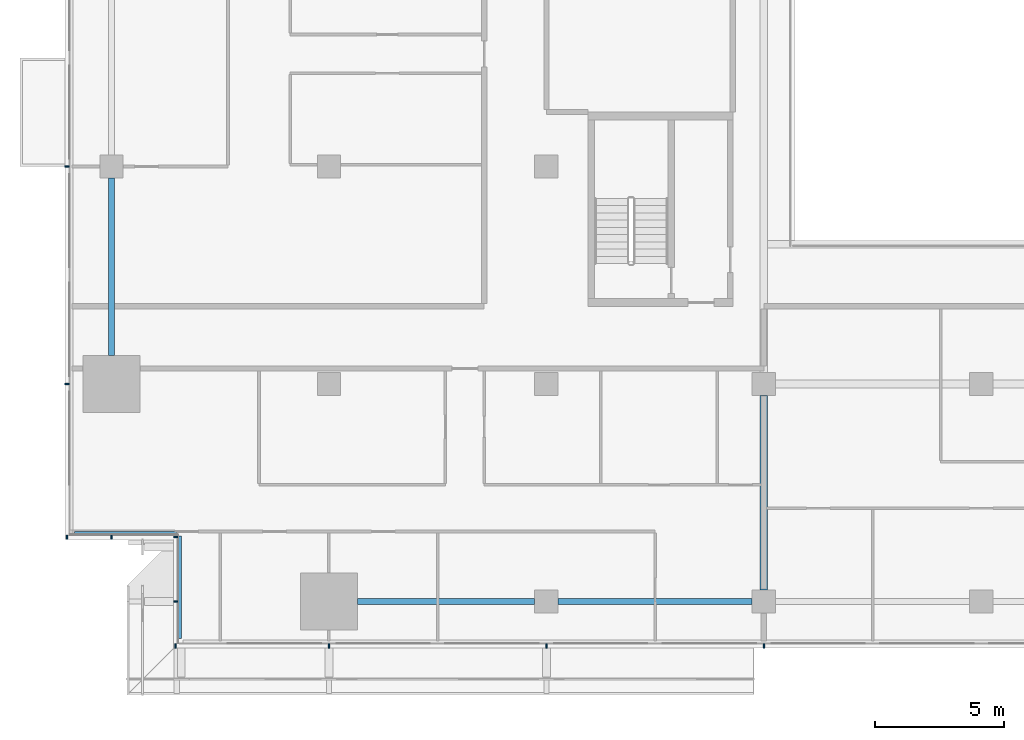
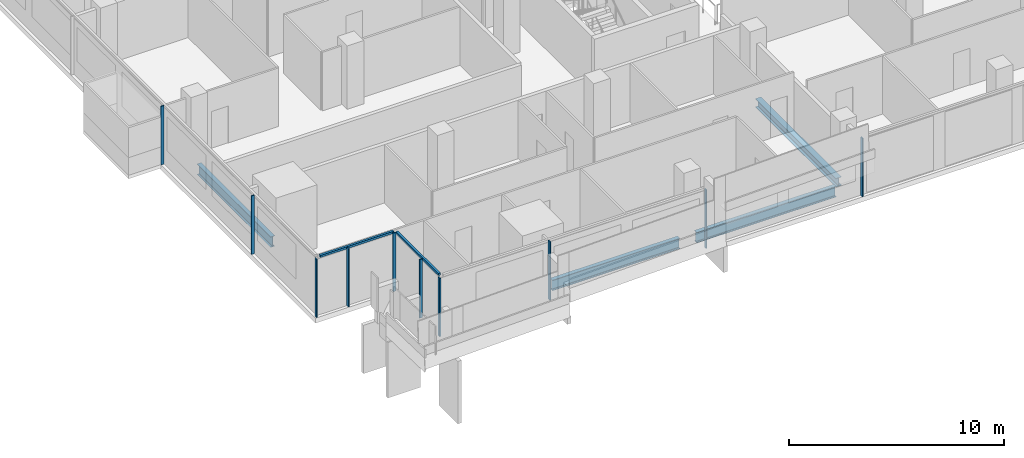
# One storey, part 2 of 29: 12 members, 4 beams, 4 elements without a shape of their own.
"""IFC4 building model written with IfcOpenShell, lengths in metres."""

import ifcopenshell
import ifcopenshell.guid

model = None  # the IFC model being written
_history = None  # IfcOwnerHistory: only IFC2X3 demands one
_inside = {}  # id of a spatial element -> (the spatial element, [elements in it])
_under = {}  # id of a project, library or spatial element -> (it, [spatial elements below it])
_declared = {}  # id of a project -> (the project, [libraries it declares])
_typed = {}  # id of a type object -> (the type object, [elements of that type])
_made_of = {}  # id of a material, layer set ... -> (it, [elements and type objects made of it])


def new_model(schema):
    """Start an empty IFC model of exactly this schema.

    Asked for "IFC4X3", IfcOpenShell would pick the latest addendum, in which some entities
    have other attributes; the version numbers below select the first issue.
    IFC2X3 requires an IfcOwnerHistory on every rooted entity: one is made here for all.
    """
    global model, _history
    if schema == "IFC4X3":
        model = ifcopenshell.file(schema_version=(4, 3, 0, 0))
    else:
        model = ifcopenshell.file(schema=schema)
    _inside.clear()
    _under.clear()
    _declared.clear()
    _typed.clear()
    _made_of.clear()
    _history = None
    if model.schema == "IFC2X3":
        org = make("IfcOrganization", Name="unknown")
        user = make(
            "IfcPersonAndOrganization",
            ThePerson=make("IfcPerson", FamilyName="unknown"),
            TheOrganization=org,
        )
        app = make(
            "IfcApplication",
            ApplicationDeveloper=org,
            Version="unknown",
            ApplicationFullName="unknown",
            ApplicationIdentifier="unknown",
        )
        _history = make(
            "IfcOwnerHistory",
            OwningUser=user,
            OwningApplication=app,
            ChangeAction="ADDED",
            CreationDate=0,
        )
    return model


def make(cls, **values):
    """One entity of the class cls with the attributes given. An attribute that is None is left unset."""
    return model.create_entity(
        cls, **{name: value for name, value in values.items() if value is not None}
    )


def rooted(cls, **values):
    """An entity with a GlobalId (a new one), such as an element, a storey or a relation."""
    return make(cls, GlobalId=ifcopenshell.guid.new(), OwnerHistory=_history, **values)


def si_unit(unit_type, name, prefix=None):
    """IfcSIUnit, for example si_unit("LENGTHUNIT", "METRE", prefix="MILLI")."""
    return make("IfcSIUnit", UnitType=unit_type, Prefix=prefix, Name=name)


def assignment(units):
    """IfcUnitAssignment: the units of a project."""
    return None if units is None else make("IfcUnitAssignment", Units=units)


def point(xyz):
    """IfcCartesianPoint."""
    return None if xyz is None else make("IfcCartesianPoint", Coordinates=xyz)


def direction(xyz):
    """IfcDirection."""
    return None if xyz is None else make("IfcDirection", DirectionRatios=xyz)


def frame(location, z_axis=None, x_axis=None):
    """IfcAxis2Placement3D, a coordinate frame: its origin and axes. An axis left out is left unset."""
    return make(
        "IfcAxis2Placement3D",
        Location=point(location),
        Axis=direction(z_axis),
        RefDirection=direction(x_axis),
    )


def frame_2d(location, x_axis=None):
    """IfcAxis2Placement2D, a coordinate frame in the plane: its origin and x axis."""
    return make(
        "IfcAxis2Placement2D", Location=point(location), RefDirection=direction(x_axis)
    )


def origin():
    """The frame at (0, 0, 0) with its axes left unset."""
    return frame((0.0, 0.0, 0.0))


def origin_2d():
    """The frame at (0, 0) in the plane with its x axis left unset."""
    return frame_2d((0.0, 0.0))


def place(relative_to, where):
    """IfcLocalPlacement: puts the frame where relative to a parent placement (None: the world)."""
    return make(
        "IfcLocalPlacement", PlacementRelTo=relative_to, RelativePlacement=where
    )


def context(
    kind, dimensions, precision=None, world=None, true_north=None, identifier=None
):
    """IfcGeometricRepresentationContext, for example the 3D "Model" context."""
    return make(
        "IfcGeometricRepresentationContext",
        ContextIdentifier=identifier,
        ContextType=kind,
        CoordinateSpaceDimension=dimensions,
        Precision=precision,
        WorldCoordinateSystem=world,
        TrueNorth=true_north,
    )


def subcontext(parent, identifier, kind, view, scale=None):
    """IfcGeometricRepresentationSubContext, for example "Body" below "Model"."""
    return make(
        "IfcGeometricRepresentationSubContext",
        ContextIdentifier=identifier,
        ContextType=kind,
        ParentContext=parent,
        TargetScale=scale,
        TargetView=view,
    )


def project(units=None, contexts=None):
    """IfcProject with its units and contexts."""
    return rooted(
        "IfcProject",
        Name="project",
        RepresentationContexts=contexts,
        UnitsInContext=assignment(units),
    )


def spatial(cls, under=None, at=None, **own):
    """A site, building, storey or space (cls), placed at a placement, below another one or the project."""
    s = rooted(cls, ObjectPlacement=at, **own)
    if under is not None:
        _under.setdefault(under.id(), (under, []))[1].append(s)
    return s


def profile(cls, at=None, kind="AREA", **sizes):
    """A parametric profile (cls). Its sizes go by their IFC names, for example OverallWidth=200.0."""
    return make(cls, ProfileType=kind, Position=at, **sizes)


def rectangle(**sizes):
    """IfcRectangleProfileDef."""
    return profile("IfcRectangleProfileDef", **sizes)


def i_section(**sizes):
    """IfcIShapeProfileDef."""
    return profile("IfcIShapeProfileDef", **sizes)


def extrude(swept, where, along, depth):
    """IfcExtrudedAreaSolid: the profile swept, set in the frame where, extruded along a direction by depth."""
    return make(
        "IfcExtrudedAreaSolid",
        SweptArea=swept,
        Position=where,
        ExtrudedDirection=direction(along),
        Depth=depth,
    )


def shape(context_of_items, identifier, shape_type, items):
    """IfcShapeRepresentation: the items that make up one representation, for example the "Body"."""
    return make(
        "IfcShapeRepresentation",
        ContextOfItems=context_of_items,
        RepresentationIdentifier=identifier,
        RepresentationType=shape_type,
        Items=items,
    )


def material(Name=None, Category=None):
    """IfcMaterial."""
    return make("IfcMaterial", Name=Name, Category=Category)


def material_profile(
    of_material, cross_section, Name=None, Category=None, Priority=None
):
    """IfcMaterialProfile: a cross section and its material."""
    return make(
        "IfcMaterialProfile",
        Name=Name,
        Material=of_material,
        Profile=cross_section,
        Priority=Priority,
        Category=Category,
    )


def profile_set(profiles, Name=None, composite=None):
    """IfcMaterialProfileSet."""
    return make(
        "IfcMaterialProfileSet",
        Name=Name,
        MaterialProfiles=profiles,
        CompositeProfile=composite,
    )


def made_of(thing, what):
    """Note that an element or type object is made of a material, layer set ...; save() writes the relation."""
    if what is not None:
        _made_of.setdefault(what.id(), (what, []))[1].append(thing)
    return thing


def type_object(cls, material=None, **own):
    """A type object (cls), such as IfcWallType, which elements share."""
    return made_of(rooted(cls, **own), material)


def element(
    cls,
    number,
    at=None,
    inside=None,
    cuts=None,
    type_object=None,
    material=None,
    context=None,
    identifier="Body",
    shape_type=None,
    held_by="IfcProductDefinitionShape",
    body=None,
    shapes=None,
    **own,
):
    """One element of the class cls, such as IfcWall. Its Tag is "e" and its number.

    at: its placement. inside: the storey or other place that contains it. cuts: it is an
    opening in that element (IfcRelVoidsElement). A single representation is given by context,
    identifier, shape_type and body (its items); several are given by shapes. held_by: the class
    of the entity that holds the representations. save() writes the other relations.
    """
    e = rooted(cls, Tag="e%d" % number, ObjectPlacement=at, **own)
    if body is not None:
        shapes = [shape(context, identifier, shape_type, body)]
    if shapes is not None:
        e.Representation = make(held_by, Representations=shapes)
    if inside is not None:
        _inside.setdefault(inside.id(), (inside, []))[1].append(e)
    if cuts is not None:
        rooted(
            "IfcRelVoidsElement", RelatingBuildingElement=cuts, RelatedOpeningElement=e
        )
    if type_object is not None:
        _typed.setdefault(type_object.id(), (type_object, []))[1].append(e)
    return made_of(e, material)


def aggregate(whole, parts):
    """IfcRelAggregates: a whole, such as a stair, and the parts it consists of."""
    return rooted("IfcRelAggregates", RelatingObject=whole, RelatedObjects=parts)


def save(model, path):
    """Write the relations noted so far, then the file.

    IfcRelAggregates (storeys below a building ...), IfcRelContainedInSpatialStructure (elements
    in a storey), IfcRelDefinesByType, IfcRelAssociatesMaterial and IfcRelDeclares: one each for
    every whole, place, type object, material and project.
    """
    for whole, parts in _under.values():
        aggregate(whole, parts)
    for where, things in _inside.values():
        rooted(
            "IfcRelContainedInSpatialStructure",
            RelatedElements=things,
            RelatingStructure=where,
        )
    for kind, things in _typed.values():
        rooted("IfcRelDefinesByType", RelatedObjects=things, RelatingType=kind)
    for what, things in _made_of.values():
        rooted("IfcRelAssociatesMaterial", RelatedObjects=things, RelatingMaterial=what)
    for by, libraries in _declared.values():
        rooted("IfcRelDeclares", RelatingContext=by, RelatedDefinitions=libraries)
    model.write(path)


model = new_model("IFC4")

# Units and contexts
model_context = context("Model", 3, precision=1e-05, world=origin(), true_north=direction((0.0, 1.0)))
body_context = subcontext(model_context, "Body", "Model", "MODEL_VIEW")
ifc_project = project(units=[si_unit("LENGTHUNIT", "METRE"), si_unit("AREAUNIT", "SQUARE_METRE"), si_unit("VOLUMEUNIT", "CUBIC_METRE"), si_unit("PLANEANGLEUNIT", "RADIAN"), si_unit("MASSUNIT", "GRAM", prefix="KILO")], contexts=[model_context])

# Site, building, storey
site_placement = place(None, origin())
site = spatial("IfcSite", under=ifc_project, at=site_placement, CompositionType="ELEMENT")
building_placement = place(site_placement, origin())
building = spatial("IfcBuilding", under=site, at=building_placement, Name="Saffron Gate Tower", CompositionType="ELEMENT")
storey_placement = place(building_placement, frame((0.0, 0.0, 58.800048828125)))
storey = spatial("IfcBuildingStorey", under=building, at=storey_placement, Name="L13", CompositionType="ELEMENT", Elevation=58.800048828125)

# Beams
ifc_material_1 = material(Name="Structural steel S355", Category="steel")
ifc_material_profile_1 = material_profile(ifc_material_1, i_section(OverallWidth=0.219970703125, OverallDepth=0.60009765625, WebThickness=0.011962890625, FlangeThickness=0.01904296875, FilletRadius=0.02392578125, at=origin_2d()))
ifc_profile_set_1 = profile_set([ifc_material_profile_1], Name="Structural steel S355")
beam_type_1 = type_object("IfcBeamType", Name="B16 IPE 600", PredefinedType="SPANDREL", material=ifc_profile_set_1)
for number, where, z_axis, x_axis, name in (
    (1, (49.800048828125, 41.300048828125, -0.580078125), (0.0, 1.0, 0.0), (-1.0, 0.0, 0.0), "B16 SPANDREL BEAM"),
    (2, (59.300048828125, 31.800048828125, -0.580078125), (1.0, 0.0, 0.0), (0.0, 1.0, 0.0), "B16 SPANDREL BEAM"),
):
    element("IfcBeam", number, at=place(storey_placement, frame(where, z_axis=z_axis, x_axis=x_axis)), inside=storey, type_object=beam_type_1, Name=name, PredefinedType="SPANDREL", context=body_context, shape_type="SweptSolid", body=[
        extrude(i_section(OverallWidth=0.219970703125, OverallDepth=0.60009765625, WebThickness=0.011962890625, FlangeThickness=0.01904296875, FilletRadius=0.02392578125, at=origin_2d()), origin(), (0.0, 0.0, 1.0), 6.849853515625),
    ])
beam_1_placement = place(storey_placement, frame((67.050048828125, 31.800048828125, -0.580078125), z_axis=(1.0, 0.0, 0.0), x_axis=(0.0, 1.0, 0.0)))
element("IfcBeam", 3, at=beam_1_placement, inside=storey, type_object=beam_type_1, Name="B16 SPANDREL BEAM", PredefinedType="SPANDREL", context=body_context, shape_type="SweptSolid", body=[
    extrude(i_section(OverallWidth=0.219970703125, OverallDepth=0.60009765625, WebThickness=0.011962890625, FlangeThickness=0.01904296875, FilletRadius=0.02392578125, at=origin_2d()), origin(), (0.0, 0.0, 1.0), 7.5),
])
ifc_material_profile_2 = material_profile(ifc_material_1, i_section(OverallWidth=0.300048828125, OverallDepth=0.489990234375, WebThickness=0.011962890625, FlangeThickness=0.02294921875, FilletRadius=0.027099609375, at=origin_2d()))
ifc_profile_set_2 = profile_set([ifc_material_profile_2], Name="Structural steel S355")
beam_type_2 = type_object("IfcBeamType", Name="B8 HEA 500", PredefinedType="BEAM", material=ifc_profile_set_2)
beam_2_placement = place(storey_placement, frame((75.0, 32.25, -0.525146484375), z_axis=(0.0, 1.0, 0.0), x_axis=(-1.0, 0.0, 0.0)))
element("IfcBeam", 4, at=beam_2_placement, inside=storey, type_object=beam_type_2, Name="B8 FLOOR GIRDER", PredefinedType="BEAM", context=body_context, shape_type="SweptSolid", body=[
    extrude(i_section(OverallWidth=0.300048828125, OverallDepth=0.489990234375, WebThickness=0.011962890625, FlangeThickness=0.02294921875, FilletRadius=0.027099609375, at=origin_2d()), origin(), (0.0, 0.0, 1.0), 7.5),
])

# Curtain wall, members
ifc_material_2 = material(Name="Aluminium, bronze anodised", Category="aluminium")
curtain_wall_type_1 = type_object("IfcCurtainWallType", Name="CWS1 curtain wall front facade", PredefinedType="NOTDEFINED", material=ifc_material_2)
curtain_wall_1_placement = place(storey_placement, origin())
curtain_wall_1 = element("IfcCurtainWall", 5, at=curtain_wall_1_placement, inside=storey, type_object=curtain_wall_type_1, Name="CWS1 run 1", PredefinedType="NOTDEFINED")
ifc_material_profile_3 = material_profile(ifc_material_2, rectangle(XDim=0.159912109375, YDim=0.06005859375, at=origin_2d()))
ifc_profile_set_3 = profile_set([ifc_material_profile_3], Name="Aluminium, bronze anodised")
member_type_1 = type_object("IfcMemberType", Name="CWS1 mullion 60x160", PredefinedType="MULLION", material=ifc_profile_set_3)
member_1_placement = place(storey_placement, frame((52.280029296875, 30.080078125, 0.0), z_axis=(0.0, 0.0, 1.0), x_axis=(0.0, 1.0, 0.0)))
member_1 = element("IfcMember", 6, at=member_1_placement, type_object=member_type_1, Name="CWS1 mullion 1", PredefinedType="MULLION", context=body_context, shape_type="SweptSolid", body=[
    extrude(rectangle(XDim=0.159912109375, YDim=0.06005859375, at=origin_2d()), origin(), (0.0, 0.0, 1.0), 3.320068359375),
])
member_2_placement = place(storey_placement, frame((58.199951171875, 30.080078125, 0.0), z_axis=(0.0, 0.0, 1.0), x_axis=(0.0, 1.0, 0.0)))
member_2 = element("IfcMember", 7, at=member_2_placement, type_object=member_type_1, Name="CWS1 mullion 2", PredefinedType="MULLION", context=body_context, shape_type="SweptSolid", body=[
    extrude(rectangle(XDim=0.159912109375, YDim=0.06005859375, at=origin_2d()), origin(), (0.0, 0.0, 1.0), 3.320068359375),
])
member_3_placement = place(storey_placement, frame((66.60009765625, 30.080078125, 0.0), z_axis=(0.0, 0.0, 1.0), x_axis=(0.0, 1.0, 0.0)))
member_3 = element("IfcMember", 8, at=member_3_placement, type_object=member_type_1, Name="CWS1 mullion 3", PredefinedType="MULLION", context=body_context, shape_type="SweptSolid", body=[
    extrude(rectangle(XDim=0.159912109375, YDim=0.06005859375, at=origin_2d()), origin(), (0.0, 0.0, 1.0), 3.320068359375),
])
member_4_placement = place(storey_placement, frame((75.0, 30.080078125, 0.0), z_axis=(0.0, 0.0, 1.0), x_axis=(0.0, 1.0, 0.0)))
member_4 = element("IfcMember", 9, at=member_4_placement, type_object=member_type_1, Name="CWS1 mullion 4", PredefinedType="MULLION", context=body_context, shape_type="SweptSolid", body=[
    extrude(rectangle(XDim=0.159912109375, YDim=0.06005859375, at=origin_2d()), origin(), (0.0, 0.0, 1.0), 3.320068359375),
])
aggregate(curtain_wall_1, [member_1, member_2, member_3, member_4])

curtain_wall_type_2 = type_object("IfcCurtainWallType", Name="CWS2 curtain wall side facades", PredefinedType="NOTDEFINED", material=ifc_material_2)
curtain_wall_2_placement = place(storey_placement, origin())
curtain_wall_2 = element("IfcCurtainWall", 10, at=curtain_wall_2_placement, inside=storey, type_object=curtain_wall_type_2, Name="CWS2 run 10", PredefinedType="NOTDEFINED")
ifc_material_profile_4 = material_profile(ifc_material_2, rectangle(XDim=0.159912109375, YDim=0.06005859375, at=origin_2d()))
ifc_profile_set_4 = profile_set([ifc_material_profile_4], Name="Aluminium, bronze anodised")
member_type_2 = type_object("IfcMemberType", Name="CWS2 mullion 60x160", PredefinedType="MULLION", material=ifc_profile_set_4)
member_5_placement = place(storey_placement, frame((48.080078125, 48.60009765625, 0.0), z_axis=(0.0, 0.0, 1.0), x_axis=(1.0, 0.0, 0.0)))
member_5 = element("IfcMember", 11, at=member_5_placement, type_object=member_type_2, Name="CWS2 mullion 4", PredefinedType="MULLION", context=body_context, shape_type="SweptSolid", body=[
    extrude(rectangle(XDim=0.159912109375, YDim=0.06005859375, at=origin_2d()), origin(), (0.0, 0.0, 1.0), 3.320068359375),
])
member_6_placement = place(storey_placement, frame((48.080078125, 40.199951171875, 0.0), z_axis=(0.0, 0.0, 1.0), x_axis=(1.0, 0.0, 0.0)))
member_6 = element("IfcMember", 12, at=member_6_placement, type_object=member_type_2, Name="CWS2 mullion 5", PredefinedType="MULLION", context=body_context, shape_type="SweptSolid", body=[
    extrude(rectangle(XDim=0.159912109375, YDim=0.06005859375, at=origin_2d()), origin(), (0.0, 0.0, 1.0), 3.320068359375),
])
aggregate(curtain_wall_2, [member_5, member_6])

# Curtain wall, member
curtain_wall_type_3 = type_object("IfcCurtainWallType", Name="CWS4 curtain wall corner returns", PredefinedType="NOTDEFINED", material=ifc_material_2)
curtain_wall_3_placement = place(storey_placement, origin())
curtain_wall_3 = element("IfcCurtainWall", 13, at=curtain_wall_3_placement, inside=storey, type_object=curtain_wall_type_3, Name="CWS4 run 11", PredefinedType="NOTDEFINED")
ifc_material_profile_5 = material_profile(ifc_material_2, rectangle(XDim=0.1201171875, YDim=0.1201171875, at=origin_2d()))
ifc_profile_set_5 = profile_set([ifc_material_profile_5], Name="Aluminium, bronze anodised")
member_type_3 = type_object("IfcMemberType", Name="CWS4 head transom", PredefinedType="USERDEFINED", material=ifc_profile_set_5)
member_7_placement = place(storey_placement, frame((48.367919921875, 34.447998046875, 3.260009765625), z_axis=(1.0, 0.0, 0.0), x_axis=(0.0, 1.0, 0.0)))
member_7 = element("IfcMember", 14, at=member_7_placement, type_object=member_type_3, Name="CWS4 head transom", ObjectType="TRANSOM", PredefinedType="USERDEFINED", context=body_context, shape_type="SweptSolid", body=[
    extrude(rectangle(XDim=0.1201171875, YDim=0.1201171875, at=origin_2d()), origin(), (0.0, 0.0, 1.0), 3.9599609375),
])

curtain_wall_4_placement = place(storey_placement, origin())
curtain_wall_4 = element("IfcCurtainWall", 15, at=curtain_wall_4_placement, inside=storey, type_object=curtain_wall_type_3, Name="CWS4 run 12", PredefinedType="NOTDEFINED")
member_8_placement = place(storey_placement, frame((52.447998046875, 34.327880859375, 3.260009765625), z_axis=(0.0, -1.0, 0.0), x_axis=(1.0, 0.0, 0.0)))
member_8 = element("IfcMember", 16, at=member_8_placement, type_object=member_type_3, Name="CWS4 head transom", ObjectType="TRANSOM", PredefinedType="USERDEFINED", context=body_context, shape_type="SweptSolid", body=[
    extrude(rectangle(XDim=0.1201171875, YDim=0.1201171875, at=origin_2d()), origin(), (0.0, 0.0, 1.0), 3.9599609375),
])

# Member
ifc_material_profile_6 = material_profile(ifc_material_2, rectangle(XDim=0.159912109375, YDim=0.06005859375, at=origin_2d()))
ifc_profile_set_6 = profile_set([ifc_material_profile_6], Name="Aluminium, bronze anodised")
member_type_4 = type_object("IfcMemberType", Name="CWS4 mullion 60x160", PredefinedType="MULLION", material=ifc_profile_set_6)
member_9_placement = place(storey_placement, frame((48.080078125, 34.280029296875, 0.0), z_axis=(0.0, 0.0, 1.0), x_axis=(0.0, 1.0, 0.0)))
member_9 = element("IfcMember", 17, at=member_9_placement, type_object=member_type_4, Name="CWS4 mullion 1", PredefinedType="MULLION", context=body_context, shape_type="SweptSolid", body=[
    extrude(rectangle(XDim=0.159912109375, YDim=0.06005859375, at=origin_2d()), origin(), (0.0, 0.0, 1.0), 3.320068359375),
])

member_10_placement = place(storey_placement, frame((49.800048828125, 34.280029296875, 0.0), z_axis=(0.0, 0.0, 1.0), x_axis=(0.0, 1.0, 0.0)))
member_10 = element("IfcMember", 18, at=member_10_placement, type_object=member_type_4, Name="CWS4 mullion 2", PredefinedType="MULLION", context=body_context, shape_type="SweptSolid", body=[
    extrude(rectangle(XDim=0.159912109375, YDim=0.06005859375, at=origin_2d()), origin(), (0.0, 0.0, 1.0), 3.320068359375),
])

aggregate(curtain_wall_3, [member_9, member_10, member_7])

member_11_placement = place(storey_placement, frame((52.280029296875, 34.280029296875, 0.0), z_axis=(0.0, 0.0, 1.0), x_axis=(1.0, 0.0, 0.0)))
member_11 = element("IfcMember", 19, at=member_11_placement, type_object=member_type_4, Name="CWS4 mullion 1", PredefinedType="MULLION", context=body_context, shape_type="SweptSolid", body=[
    extrude(rectangle(XDim=0.159912109375, YDim=0.06005859375, at=origin_2d()), origin(), (0.0, 0.0, 1.0), 3.320068359375),
])

member_12_placement = place(storey_placement, frame((52.280029296875, 31.800048828125, 0.0), z_axis=(0.0, 0.0, 1.0), x_axis=(1.0, 0.0, 0.0)))
member_12 = element("IfcMember", 20, at=member_12_placement, type_object=member_type_4, Name="CWS4 mullion 2", PredefinedType="MULLION", context=body_context, shape_type="SweptSolid", body=[
    extrude(rectangle(XDim=0.159912109375, YDim=0.06005859375, at=origin_2d()), origin(), (0.0, 0.0, 1.0), 3.320068359375),
])

aggregate(curtain_wall_4, [member_11, member_12, member_8])

save(model, "model.ifc")
